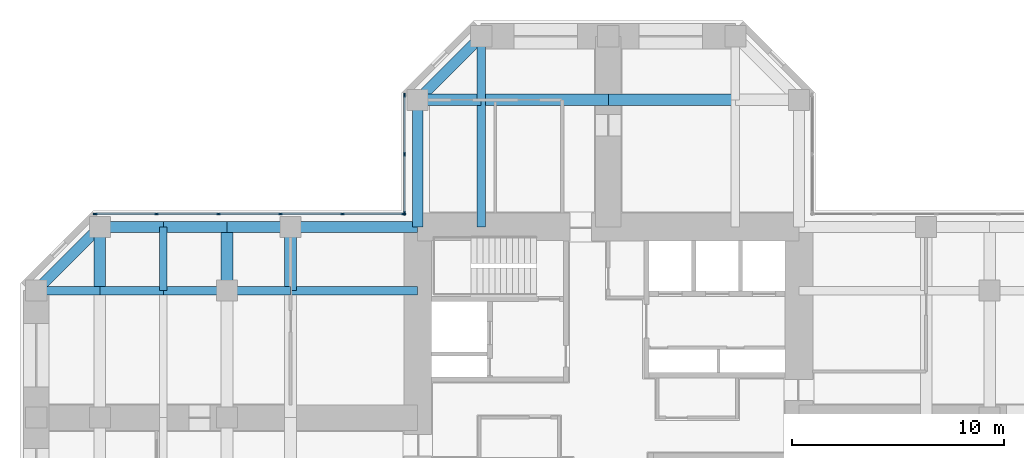
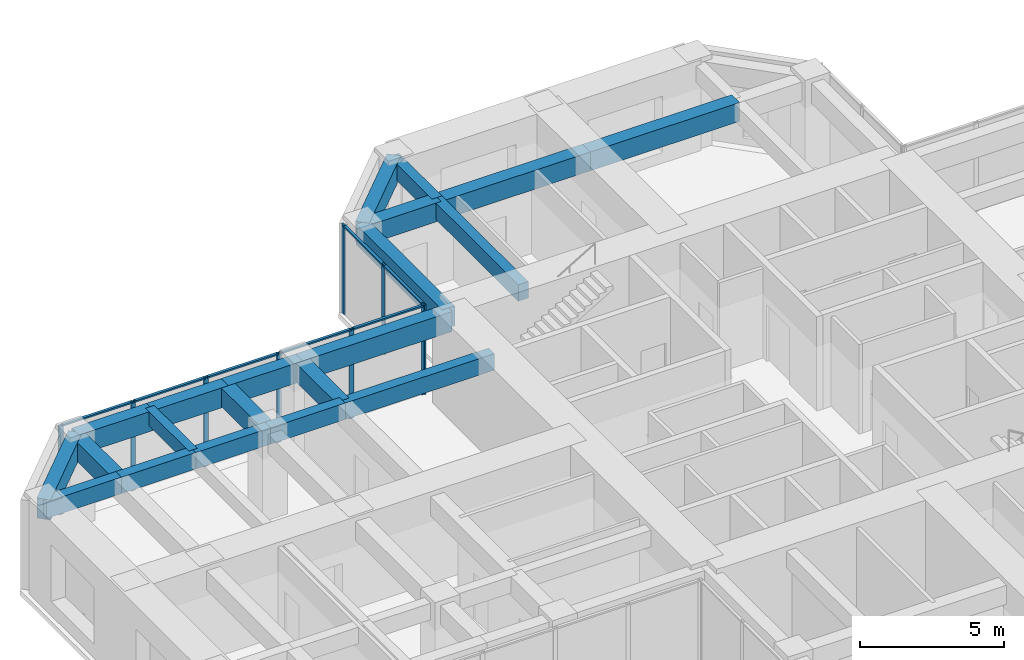
# One storey, part 5 of 12: 21 beams, 16 members, 2 elements without a shape of their own.
"""IFC4 building model written with IfcOpenShell, lengths in metres."""

from ifc_helpers import new_model, si_unit, direction, frame, origin, origin_2d, place, context, subcontext, project, spatial, rectangle, extrude, material, material_profile, profile_set, type_object, element, aggregate, save


model = new_model("IFC4")

# Units and contexts
model_context = context("Model", 3, precision=1e-05, world=origin(), true_north=direction((0.0, 1.0)))
body_context = subcontext(model_context, "Body", "Model", "MODEL_VIEW")
ifc_project = project(units=[si_unit("LENGTHUNIT", "METRE"), si_unit("AREAUNIT", "SQUARE_METRE"), si_unit("VOLUMEUNIT", "CUBIC_METRE"), si_unit("PLANEANGLEUNIT", "RADIAN"), si_unit("MASSUNIT", "GRAM", prefix="KILO")], contexts=[model_context])

# Site, building, storey
site_placement = place(None, origin())
site = spatial("IfcSite", under=ifc_project, at=site_placement, CompositionType="ELEMENT")
building_placement = place(site_placement, origin())
building = spatial("IfcBuilding", under=site, at=building_placement, Name="Torre Cruceta", CompositionType="ELEMENT")
storey_placement = place(building_placement, frame((0.0, 0.0, 136.5)))
storey = spatial("IfcBuildingStorey", under=building, at=storey_placement, Name="L33", CompositionType="ELEMENT", Elevation=136.5)

# Beams
ifc_material_1 = material(Name="Concrete G60 (fck 60 MPa)", Category="concrete")
ifc_material_profile_1 = material_profile(ifc_material_1, rectangle(XDim=0.39990234375, YDim=0.699951171875, at=origin_2d()), Name="RC 400X700")
ifc_profile_set_1 = profile_set([ifc_material_profile_1], Name="Concrete G60 (fck 60 MPa)")
beam_type_1 = type_object("IfcBeamType", Name="COLUMN LINE BEAM RC 400X700", PredefinedType="BEAM", material=ifc_profile_set_1)
beam_1_placement = place(storey_placement, frame((-6.0, 9.0, 3.449951171875), z_axis=(0.0, 1.0, 0.0), x_axis=(-1.0, 0.0, 0.0)))
element("IfcBeam", 1, at=beam_1_placement, inside=storey, type_object=beam_type_1, Name="LB5 L33 N col+ 1", PredefinedType="BEAM", context=body_context, shape_type="SweptSolid", body=[
    extrude(rectangle(XDim=0.39990234375, YDim=0.699951171875, at=origin_2d()), origin(), (0.0, 0.0, 1.0), 6.0),
])
beam_2_placement = place(storey_placement, frame((-6.0, 15.0, 3.449951171875), z_axis=(0.0, 1.0, 0.0), x_axis=(-1.0, 0.0, 0.0)))
element("IfcBeam", 2, at=beam_2_placement, inside=storey, type_object=beam_type_1, Name="LB5 L33 N col+ 2", PredefinedType="BEAM", context=body_context, shape_type="SweptSolid", body=[
    extrude(rectangle(XDim=0.39990234375, YDim=0.699951171875, at=origin_2d()), origin(), (0.0, 0.0, 1.0), 3.0),
])
beam_3_placement = place(storey_placement, frame((-9.0, 6.0, 3.449951171875), z_axis=(-1.0, 0.0, 0.0), x_axis=(0.0, -1.0, 0.0)))
element("IfcBeam", 3, at=beam_3_placement, inside=storey, type_object=beam_type_1, Name="LB5 L33 W col- 1", PredefinedType="BEAM", context=body_context, shape_type="SweptSolid", body=[
    extrude(rectangle(XDim=0.39990234375, YDim=0.699951171875, at=origin_2d()), origin(), (0.0, 0.0, 1.0), 6.0),
])
for number, where, z_axis, x_axis, name in (
    (4, (-15.0, 6.0, 3.449951171875), (-1.0, 0.0, 0.0), (0.0, -1.0, 0.0), "LB5 L33 W col- 2"),
    (5, (-18.0, 6.0, 3.449951171875), (-1.0, 0.0, 0.0), (0.0, -1.0, 0.0), "LB5 L33 W col- 3"),
    (6, (-21.0, 6.0, 3.449951171875), (-1.0, 0.0, 0.0), (0.0, -1.0, 0.0), "LB5 L33 W col- 4"),
    (7, (-24.0, 6.0, 3.449951171875), (-1.0, 0.0, 0.0), (0.0, -1.0, 0.0), "LB5 L33 W col- 5"),
):
    element("IfcBeam", number, at=place(storey_placement, frame(where, z_axis=z_axis, x_axis=x_axis)), inside=storey, type_object=beam_type_1, Name=name, PredefinedType="BEAM", context=body_context, shape_type="SweptSolid", body=[
        extrude(rectangle(XDim=0.39990234375, YDim=0.699951171875, at=origin_2d()), origin(), (0.0, 0.0, 1.0), 3.0),
    ])
ifc_material_2 = material(Name="Concrete G60 (fck 60 MPa)", Category="concrete")
ifc_material_profile_2 = material_profile(ifc_material_2, rectangle(XDim=0.550048828125, YDim=0.800048828125, at=origin_2d()), Name="RC 550X800")
ifc_profile_set_2 = profile_set([ifc_material_profile_2], Name="Concrete G60 (fck 60 MPa)")
beam_type_2 = type_object("IfcBeamType", Name="CROSS BEAM RC 550X800", PredefinedType="BEAM", material=ifc_profile_set_2)
for number, where, z_axis, x_axis, name in (
    (8, (6.0, 15.0, 3.39990234375), (-1.0, 0.0, 0.0), (0.0, -1.0, 0.0), "GB5 L33 N cross15 2"),
    (9, (0.0, 15.0, 3.39990234375), (-1.0, 0.0, 0.0), (0.0, -1.0, 0.0), "GB5 L33 N cross15 3"),
):
    element("IfcBeam", number, at=place(storey_placement, frame(where, z_axis=z_axis, x_axis=x_axis)), inside=storey, type_object=beam_type_2, Name=name, PredefinedType="BEAM", context=body_context, shape_type="SweptSolid", body=[
        extrude(rectangle(XDim=0.550048828125, YDim=0.800048828125, at=origin_2d()), origin(), (0.0, 0.0, 1.0), 6.0),
    ])
for number, where, z_axis, x_axis, name in (
    (10, (-6.0, 15.0, 3.39990234375), (-1.0, 0.0, 0.0), (0.0, -1.0, 0.0), "GB5 L33 N cross15 4"),
    (11, (-15.0, 9.0, 3.39990234375), (0.0, -1.0, 0.0), (1.0, 0.0, 0.0), "GB5 L33 W cross15 1"),
    (12, (-18.0, 9.0, 3.39990234375), (0.0, -1.0, 0.0), (1.0, 0.0, 0.0), "GB5 L33 W cross18 1"),
    (13, (-24.0, 9.0, 3.39990234375), (0.0, -1.0, 0.0), (1.0, 0.0, 0.0), "GB5 L33 W cross24 1"),
):
    element("IfcBeam", number, at=place(storey_placement, frame(where, z_axis=z_axis, x_axis=x_axis)), inside=storey, type_object=beam_type_2, Name=name, PredefinedType="BEAM", context=body_context, shape_type="SweptSolid", body=[
        extrude(rectangle(XDim=0.550048828125, YDim=0.800048828125, at=origin_2d()), origin(), (0.0, 0.0, 1.0), 3.0),
    ])

# Curtain wall, members
ifc_material_3 = material(Name="Aluminium unitised curtain wall", Category="aluminium")
curtain_wall_type = type_object("IfcCurtainWallType", Name="CURTAIN WALL CW-B OFFICE MID RISE", PredefinedType="USERDEFINED", material=ifc_material_3)
curtain_wall_1_placement = place(storey_placement, origin())
curtain_wall_1 = element("IfcCurtainWall", 14, at=curtain_wall_1_placement, inside=storey, type_object=curtain_wall_type, Name="CW-B L33 N side 09", ObjectType="UNITISED", PredefinedType="USERDEFINED")
ifc_material_4 = material(Name="Aluminium mullion", Category="aluminium")
ifc_material_profile_3 = material_profile(ifc_material_4, rectangle(XDim=0.06494140625, YDim=0.179931640625, at=origin_2d()), Name="AL 65X180")
ifc_profile_set_3 = profile_set([ifc_material_profile_3], Name="Aluminium mullion")
member_type_1 = type_object("IfcMemberType", Name="CW-B MULLION 65X180", PredefinedType="MULLION", material=ifc_profile_set_3)
member_1_placement = place(storey_placement, frame((-9.6201171875, 15.224365234375, 0.0), z_axis=(0.0, 0.0, 1.0), x_axis=(1.0, 0.0, 0.0)))
member_1 = element("IfcMember", 15, at=member_1_placement, type_object=member_type_1, Name="CW-B mullion 1", PredefinedType="MULLION", context=body_context, shape_type="SweptSolid", body=[
    extrude(rectangle(XDim=0.06494140625, YDim=0.179931640625, at=origin_2d()), origin(), (0.0, 0.0, 1.0), 3.800048828125),
])
member_2_placement = place(storey_placement, frame((-9.6201171875, 12.4384765625, 0.0), z_axis=(0.0, 0.0, 1.0), x_axis=(1.0, 0.0, 0.0)))
member_2 = element("IfcMember", 16, at=member_2_placement, type_object=member_type_1, Name="CW-B mullion 2", PredefinedType="MULLION", context=body_context, shape_type="SweptSolid", body=[
    extrude(rectangle(XDim=0.06494140625, YDim=0.179931640625, at=origin_2d()), origin(), (0.0, 0.0, 1.0), 3.800048828125),
])
member_3_placement = place(storey_placement, frame((-9.6201171875, 9.652587890625, 0.0), z_axis=(0.0, 0.0, 1.0), x_axis=(1.0, 0.0, 0.0)))
member_3 = element("IfcMember", 17, at=member_3_placement, type_object=member_type_1, Name="CW-B mullion 3", PredefinedType="MULLION", context=body_context, shape_type="SweptSolid", body=[
    extrude(rectangle(XDim=0.06494140625, YDim=0.179931640625, at=origin_2d()), origin(), (0.0, 0.0, 1.0), 3.800048828125),
])

curtain_wall_2_placement = place(storey_placement, origin())
curtain_wall_2 = element("IfcCurtainWall", 18, at=curtain_wall_2_placement, inside=storey, type_object=curtain_wall_type, Name="CW-B L33 W side 10", ObjectType="UNITISED", PredefinedType="USERDEFINED")
member_4_placement = place(storey_placement, frame((-9.652587890625, 9.6201171875, 0.0), z_axis=(0.0, 0.0, 1.0), x_axis=(0.0, -1.0, 0.0)))
member_4 = element("IfcMember", 19, at=member_4_placement, type_object=member_type_1, Name="CW-B mullion 1", PredefinedType="MULLION", context=body_context, shape_type="SweptSolid", body=[
    extrude(rectangle(XDim=0.06494140625, YDim=0.179931640625, at=origin_2d()), origin(), (0.0, 0.0, 1.0), 3.800048828125),
])
member_5_placement = place(storey_placement, frame((-12.54736328125, 9.6201171875, 0.0), z_axis=(0.0, 0.0, 1.0), x_axis=(0.0, -1.0, 0.0)))
member_5 = element("IfcMember", 20, at=member_5_placement, type_object=member_type_1, Name="CW-B mullion 2", PredefinedType="MULLION", context=body_context, shape_type="SweptSolid", body=[
    extrude(rectangle(XDim=0.06494140625, YDim=0.179931640625, at=origin_2d()), origin(), (0.0, 0.0, 1.0), 3.800048828125),
])
member_6_placement = place(storey_placement, frame((-15.474609375, 9.6201171875, 0.0), z_axis=(0.0, 0.0, 1.0), x_axis=(0.0, -1.0, 0.0)))
member_6 = element("IfcMember", 21, at=member_6_placement, type_object=member_type_1, Name="CW-B mullion 3", PredefinedType="MULLION", context=body_context, shape_type="SweptSolid", body=[
    extrude(rectangle(XDim=0.06494140625, YDim=0.179931640625, at=origin_2d()), origin(), (0.0, 0.0, 1.0), 3.800048828125),
])
member_7_placement = place(storey_placement, frame((-18.402099609375, 9.6201171875, 0.0), z_axis=(0.0, 0.0, 1.0), x_axis=(0.0, -1.0, 0.0)))
member_7 = element("IfcMember", 22, at=member_7_placement, type_object=member_type_1, Name="CW-B mullion 4", PredefinedType="MULLION", context=body_context, shape_type="SweptSolid", body=[
    extrude(rectangle(XDim=0.06494140625, YDim=0.179931640625, at=origin_2d()), origin(), (0.0, 0.0, 1.0), 3.800048828125),
])
member_8_placement = place(storey_placement, frame((-21.329345703125, 9.6201171875, 0.0), z_axis=(0.0, 0.0, 1.0), x_axis=(0.0, -1.0, 0.0)))
member_8 = element("IfcMember", 23, at=member_8_placement, type_object=member_type_1, Name="CW-B mullion 5", PredefinedType="MULLION", context=body_context, shape_type="SweptSolid", body=[
    extrude(rectangle(XDim=0.06494140625, YDim=0.179931640625, at=origin_2d()), origin(), (0.0, 0.0, 1.0), 3.800048828125),
])
member_9_placement = place(storey_placement, frame((-24.224365234375, 9.6201171875, 0.0), z_axis=(0.0, 0.0, 1.0), x_axis=(0.0, -1.0, 0.0)))
member_9 = element("IfcMember", 24, at=member_9_placement, type_object=member_type_1, Name="CW-B mullion 6", PredefinedType="MULLION", context=body_context, shape_type="SweptSolid", body=[
    extrude(rectangle(XDim=0.06494140625, YDim=0.179931640625, at=origin_2d()), origin(), (0.0, 0.0, 1.0), 3.800048828125),
])

# Member
ifc_material_5 = material(Name="Aluminium transom", Category="aluminium")
ifc_material_profile_4 = material_profile(ifc_material_5, rectangle(XDim=0.110107421875, YDim=0.06494140625, at=origin_2d()), Name="AL 110X65")
ifc_profile_set_4 = profile_set([ifc_material_profile_4], Name="Aluminium transom")
member_type_2 = type_object("IfcMemberType", Name="CW-B TRANSOM 65X110", PredefinedType="USERDEFINED", material=ifc_profile_set_4)
member_10_placement = place(storey_placement, frame((-9.6201171875, 15.19189453125, 3.767578125), z_axis=(0.0, -1.0, 0.0), x_axis=(1.0, 0.0, 0.0)))
member_10 = element("IfcMember", 25, at=member_10_placement, type_object=member_type_2, Name="CW-B transom 1", ObjectType="TRANSOM", PredefinedType="USERDEFINED", context=body_context, shape_type="SweptSolid", body=[
    extrude(rectangle(XDim=0.110107421875, YDim=0.06494140625, at=origin_2d()), origin(), (0.0, 0.0, 1.0), 2.720947265625),
])

member_11_placement = place(storey_placement, frame((-9.6201171875, 12.406005859375, 3.767578125), z_axis=(0.0, -1.0, 0.0), x_axis=(1.0, 0.0, 0.0)))
member_11 = element("IfcMember", 26, at=member_11_placement, type_object=member_type_2, Name="CW-B transom 2", ObjectType="TRANSOM", PredefinedType="USERDEFINED", context=body_context, shape_type="SweptSolid", body=[
    extrude(rectangle(XDim=0.110107421875, YDim=0.06494140625, at=origin_2d()), origin(), (0.0, 0.0, 1.0), 2.720947265625),
])

aggregate(curtain_wall_1, [member_1, member_2, member_3, member_10, member_11])

member_12_placement = place(storey_placement, frame((-9.68505859375, 9.6201171875, 3.767578125), z_axis=(-1.0, 0.0, 0.0), x_axis=(0.0, -1.0, 0.0)))
member_12 = element("IfcMember", 27, at=member_12_placement, type_object=member_type_2, Name="CW-B transom 1", ObjectType="TRANSOM", PredefinedType="USERDEFINED", context=body_context, shape_type="SweptSolid", body=[
    extrude(rectangle(XDim=0.110107421875, YDim=0.06494140625, at=origin_2d()), origin(), (0.0, 0.0, 1.0), 2.829833984375),
])

member_13_placement = place(storey_placement, frame((-12.579833984375, 9.6201171875, 3.767578125), z_axis=(-1.0, 0.0, 0.0), x_axis=(0.0, -1.0, 0.0)))
member_13 = element("IfcMember", 28, at=member_13_placement, type_object=member_type_2, Name="CW-B transom 2", ObjectType="TRANSOM", PredefinedType="USERDEFINED", context=body_context, shape_type="SweptSolid", body=[
    extrude(rectangle(XDim=0.110107421875, YDim=0.06494140625, at=origin_2d()), origin(), (0.0, 0.0, 1.0), 2.8623046875),
])

member_14_placement = place(storey_placement, frame((-15.50732421875, 9.6201171875, 3.767578125), z_axis=(-1.0, 0.0, 0.0), x_axis=(0.0, -1.0, 0.0)))
member_14 = element("IfcMember", 29, at=member_14_placement, type_object=member_type_2, Name="CW-B transom 3", ObjectType="TRANSOM", PredefinedType="USERDEFINED", context=body_context, shape_type="SweptSolid", body=[
    extrude(rectangle(XDim=0.110107421875, YDim=0.06494140625, at=origin_2d()), origin(), (0.0, 0.0, 1.0), 2.8623046875),
])

member_15_placement = place(storey_placement, frame((-18.4345703125, 9.6201171875, 3.767578125), z_axis=(-1.0, 0.0, 0.0), x_axis=(0.0, -1.0, 0.0)))
member_15 = element("IfcMember", 30, at=member_15_placement, type_object=member_type_2, Name="CW-B transom 4", ObjectType="TRANSOM", PredefinedType="USERDEFINED", context=body_context, shape_type="SweptSolid", body=[
    extrude(rectangle(XDim=0.110107421875, YDim=0.06494140625, at=origin_2d()), origin(), (0.0, 0.0, 1.0), 2.8623046875),
])

member_16_placement = place(storey_placement, frame((-21.362060546875, 9.6201171875, 3.767578125), z_axis=(-1.0, 0.0, 0.0), x_axis=(0.0, -1.0, 0.0)))
member_16 = element("IfcMember", 31, at=member_16_placement, type_object=member_type_2, Name="CW-B transom 5", ObjectType="TRANSOM", PredefinedType="USERDEFINED", context=body_context, shape_type="SweptSolid", body=[
    extrude(rectangle(XDim=0.110107421875, YDim=0.06494140625, at=origin_2d()), origin(), (0.0, 0.0, 1.0), 2.829833984375),
])

aggregate(curtain_wall_2, [member_4, member_5, member_6, member_7, member_8, member_9, member_12, member_13, member_14, member_15, member_16])

# Beams
ifc_material_6 = material(Name="Concrete G60 (fck 60 MPa)", Category="concrete")
ifc_material_profile_5 = material_profile(ifc_material_6, rectangle(XDim=0.35009765625, YDim=0.60009765625, at=origin_2d()), Name="RC 350X600")
ifc_profile_set_5 = profile_set([ifc_material_profile_5], Name="Concrete G60 (fck 60 MPa)")
beam_type_3 = type_object("IfcBeamType", Name="SECONDARY BEAM RC 350X600", PredefinedType="JOIST", material=ifc_profile_set_5)
beam_4_placement = place(storey_placement, frame((-21.0, 9.0, 3.5), z_axis=(0.0, -1.0, 0.0), x_axis=(1.0, 0.0, 0.0)))
element("IfcBeam", 32, at=beam_4_placement, inside=storey, type_object=beam_type_3, Name="JB5 L33 W sec21 1", PredefinedType="JOIST", context=body_context, shape_type="SweptSolid", body=[
    extrude(rectangle(XDim=0.35009765625, YDim=0.60009765625, at=origin_2d()), origin(), (0.0, 0.0, 1.0), 3.0),
])
ifc_material_7 = material(Name="Concrete G60 (fck 60 MPa)", Category="concrete")
ifc_material_profile_6 = material_profile(ifc_material_7, rectangle(XDim=0.5, YDim=0.85009765625, at=origin_2d()), Name="RC 500X850")
ifc_profile_set_6 = profile_set([ifc_material_profile_6], Name="Concrete G60 (fck 60 MPa)")
beam_type_4 = type_object("IfcBeamType", Name="SPANDREL BEAM RC 500X850", PredefinedType="SPANDREL", material=ifc_profile_set_6)
beam_5_placement = place(storey_placement, frame((-9.0, 9.0, 3.375), z_axis=(0.0, 1.0, 0.0), x_axis=(-1.0, 0.0, 0.0)))
element("IfcBeam", 33, at=beam_5_placement, inside=storey, type_object=beam_type_4, Name="SB5 L33 N side+ 1", PredefinedType="SPANDREL", context=body_context, shape_type="SweptSolid", body=[
    extrude(rectangle(XDim=0.5, YDim=0.85009765625, at=origin_2d()), origin(), (0.0, 0.0, 1.0), 6.0),
])
beam_6_placement = place(storey_placement, frame((-9.0, 15.0, 3.375), z_axis=(0.707106781187, 0.707106781187, 0.0), x_axis=(-0.707106781187, 0.707106781187, 0.0)))
element("IfcBeam", 34, at=beam_6_placement, inside=storey, type_object=beam_type_4, Name="SB5 L33 N side+ 2", PredefinedType="SPANDREL", context=body_context, shape_type="SweptSolid", body=[
    extrude(rectangle(XDim=0.5, YDim=0.85009765625, at=origin_2d()), origin(), (0.0, 0.0, 1.0), 4.24267578125),
])
beam_7_placement = place(storey_placement, frame((-9.0, 9.0, 3.375), z_axis=(-1.0, 0.0, 0.0), x_axis=(0.0, -1.0, 0.0)))
element("IfcBeam", 35, at=beam_7_placement, inside=storey, type_object=beam_type_4, Name="SB5 L33 W side- 1", PredefinedType="SPANDREL", context=body_context, shape_type="SweptSolid", body=[
    extrude(rectangle(XDim=0.5, YDim=0.85009765625, at=origin_2d()), origin(), (0.0, 0.0, 1.0), 6.0),
])
for number, where, z_axis, x_axis, name in (
    (36, (-15.0, 9.0, 3.375), (-1.0, 0.0, 0.0), (0.0, -1.0, 0.0), "SB5 L33 W side- 2"),
    (37, (-18.0, 9.0, 3.375), (-1.0, 0.0, 0.0), (0.0, -1.0, 0.0), "SB5 L33 W side- 3"),
    (38, (-21.0, 9.0, 3.375), (-1.0, 0.0, 0.0), (0.0, -1.0, 0.0), "SB5 L33 W side- 4"),
):
    element("IfcBeam", number, at=place(storey_placement, frame(where, z_axis=z_axis, x_axis=x_axis)), inside=storey, type_object=beam_type_4, Name=name, PredefinedType="SPANDREL", context=body_context, shape_type="SweptSolid", body=[
        extrude(rectangle(XDim=0.5, YDim=0.85009765625, at=origin_2d()), origin(), (0.0, 0.0, 1.0), 3.0),
    ])
beam_8_placement = place(storey_placement, frame((-24.0, 9.0, 3.375), z_axis=(-0.707106781187, -0.707106781187, 0.0), x_axis=(0.707106781187, -0.707106781187, 0.0)))
element("IfcBeam", 39, at=beam_8_placement, inside=storey, type_object=beam_type_4, Name="SB5 L33 W side- 5", PredefinedType="SPANDREL", context=body_context, shape_type="SweptSolid", body=[
    extrude(rectangle(XDim=0.5, YDim=0.85009765625, at=origin_2d()), origin(), (0.0, 0.0, 1.0), 4.24267578125),
])

save(model, "model.ifc")
